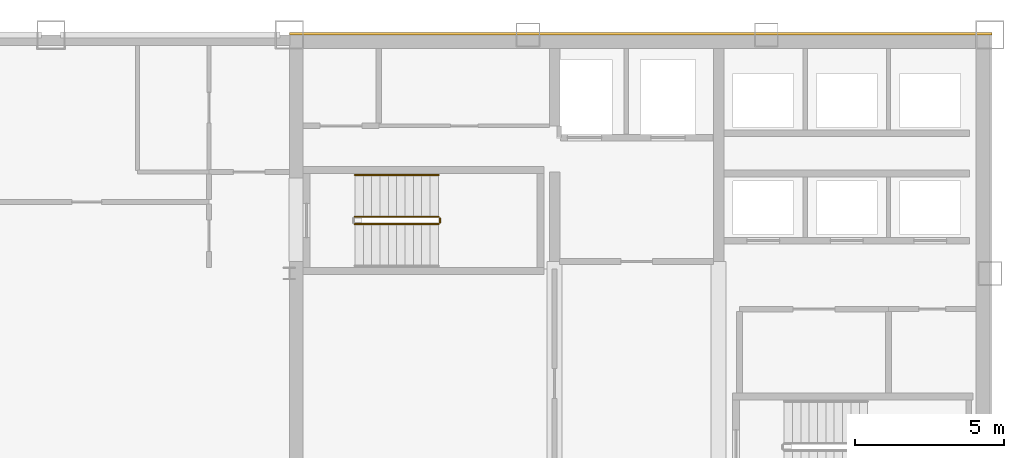
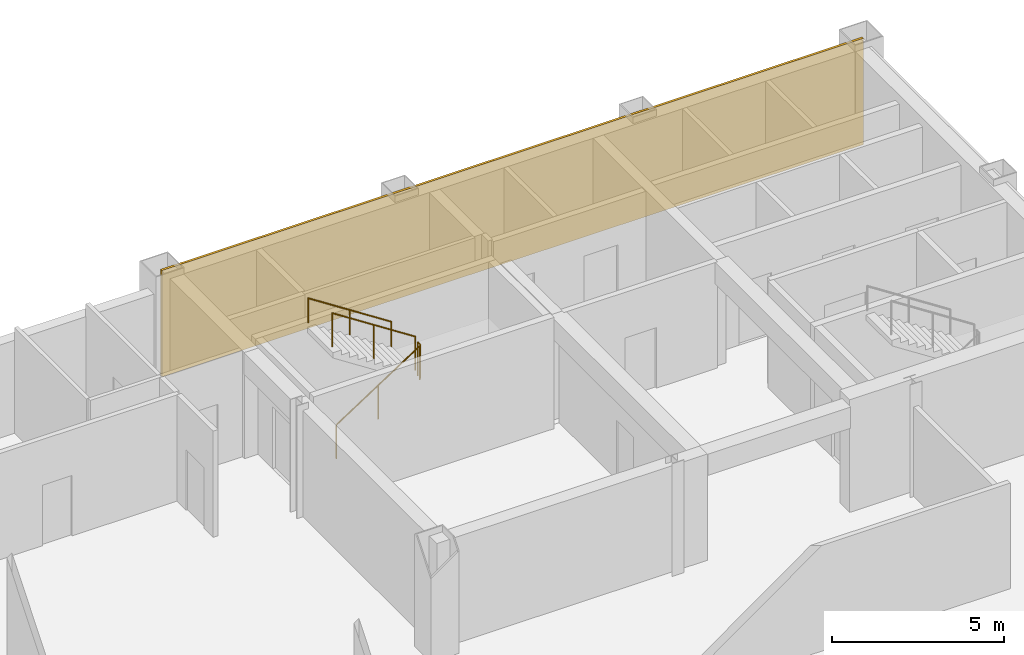
# One storey, part 10 of 10: 4 railings, 1 covering.
"""IFC4 building model written with IfcOpenShell, lengths in metres."""

from ifc_helpers import new_model, si_unit, direction, frame, origin, origin_2d, place, context, subcontext, project, spatial, rectangle, circle, extrude, material, layer, layer_set, type_object, element, save


model = new_model("IFC4")

# Units and contexts
model_context = context("Model", 3, precision=1e-05, world=origin(), true_north=direction((0.0, 1.0)))
body_context = subcontext(model_context, "Body", "Model", "MODEL_VIEW")
ifc_project = project(units=[si_unit("LENGTHUNIT", "METRE"), si_unit("AREAUNIT", "SQUARE_METRE"), si_unit("VOLUMEUNIT", "CUBIC_METRE"), si_unit("PLANEANGLEUNIT", "RADIAN"), si_unit("MASSUNIT", "GRAM", prefix="KILO")], contexts=[model_context])

# Site, building, storey
site_placement = place(None, origin())
site = spatial("IfcSite", under=ifc_project, at=site_placement, CompositionType="ELEMENT")
building_placement = place(site_placement, origin())
building = spatial("IfcBuilding", under=site, at=building_placement, Name="Qianrong Seaharbour Tower", CompositionType="ELEMENT")
storey_placement = place(building_placement, frame((0.0, 0.0, 229.800048828125)))
storey = spatial("IfcBuildingStorey", under=building, at=storey_placement, Name="L55", CompositionType="ELEMENT", Elevation=229.800048828125)

# Covering
ifc_material_1 = material(Name="Unitised red brick cladding on Precast concrete C45/55", Category="masonry")
ifc_layer = layer(ifc_material_1, 0.080078125)
ifc_layer_set = layer_set([ifc_layer], Name="Unitised red brick cladding on Precast concrete C45/55")
covering_type = type_object("IfcCoveringType", Name="COV-CLAD-RED-BRICK-80", PredefinedType="CLADDING", material=ifc_layer_set)
covering_placement = place(storey_placement, frame((52.2900390625, 52.0400390625, 0.0), z_axis=(0.0, 0.0, 1.0), x_axis=(1.0, 0.0, 0.0)))
element("IfcCovering", 1, at=covering_placement, inside=storey, type_object=covering_type, Name="L55 North Core Brick Veneer Cladding", PredefinedType="CLADDING", context=body_context, shape_type="SweptSolid", body=[
    extrude(rectangle(XDim=23.580078125, YDim=0.080078125, at=origin_2d()), origin(), (0.0, 0.0, 1.0), 3.77490234375),
])

# Railings
ifc_material_2 = material(Name="Galvanized painted steel SN400B stair guard", Category="steel")
railing_type_1 = type_object("IfcRailingType", Name="RAIL-STAIR-GUARD-1220", PredefinedType="GUARDRAIL", material=ifc_material_2)
railing_1_placement = place(storey_placement, frame((42.699951171875, 45.64990234375, 0.181884765625)))
element("IfcRailing", 2, at=railing_1_placement, inside=storey, type_object=railing_type_1, Name="L55 ST-1 stair guard 1", PredefinedType="GUARDRAIL", context=body_context, shape_type="SweptSolid", body=[
    extrude(circle(Radius=0.02392578125, at=origin_2d()), frame((0.0, 0.0, 1.19580078125), z_axis=(0.838705829183, 0.0, 0.544584733623), x_axis=(0.0, 1.0, 0.0)), (0.0, 0.0, 1.0), 3.338623046875),
    extrude(circle(Radius=0.02099609375, at=origin_2d()), origin(), (0.0, 0.0, 1.0), 1.171875),
    extrude(circle(Radius=0.02099609375, at=origin_2d()), frame((1.39990234375, 0.0, 0.9091796875)), (0.0, 0.0, 1.0), 1.171875),
    extrude(circle(Radius=0.02099609375, at=origin_2d()), frame((2.800048828125, 0.0, 1.818115234375)), (0.0, 0.0, 1.0), 1.171875),
])
railing_2_placement = place(storey_placement, frame((45.550048828125, 45.699951171875, 2.0)))
element("IfcRailing", 3, at=railing_2_placement, inside=storey, type_object=railing_type_1, Name="L55 ST-1 stair guard 2", PredefinedType="GUARDRAIL", context=body_context, shape_type="SweptSolid", body=[
    extrude(circle(Radius=0.02392578125, at=origin_2d()), frame((0.0, 0.0, 1.19580078125), z_axis=(0.0, 1.0, 0.0), x_axis=(-1.0, 0.0, 0.0)), (0.0, 0.0, 1.0), 0.150146484375),
    extrude(circle(Radius=0.02099609375, at=origin_2d()), origin(), (0.0, 0.0, 1.0), 1.171875),
    extrude(circle(Radius=0.02099609375, at=origin_2d()), frame((0.0, 0.150146484375, 0.0)), (0.0, 0.0, 1.0), 1.171875),
])
railing_3_placement = place(storey_placement, frame((45.5, 45.89990234375, 2.181884765625)))
element("IfcRailing", 4, at=railing_3_placement, inside=storey, type_object=railing_type_1, Name="L55 ST-1 stair guard 3", PredefinedType="GUARDRAIL", context=body_context, shape_type="SweptSolid", body=[
    extrude(circle(Radius=0.02392578125, at=origin_2d()), frame((0.0, 0.0, 1.19580078125), z_axis=(-0.838705829183, 0.0, 0.544584733623), x_axis=(0.0, -1.0, 0.0)), (0.0, 0.0, 1.0), 3.338623046875),
    extrude(circle(Radius=0.02099609375, at=origin_2d()), origin(), (0.0, 0.0, 1.0), 1.171875),
    extrude(circle(Radius=0.02099609375, at=origin_2d()), frame((-1.39990234375, 0.0, 0.9091796875)), (0.0, 0.0, 1.0), 1.171875),
    extrude(circle(Radius=0.02099609375, at=origin_2d()), frame((-2.800048828125, 0.0, 1.818115234375)), (0.0, 0.0, 1.0), 1.171875),
])
ifc_material_3 = material(Name="Stainless steel SUS316L continuous handrail", Category="steel")
railing_type_2 = type_object("IfcRailingType", Name="RAIL-STAIR-HANDRAIL-900", PredefinedType="HANDRAIL", material=ifc_material_3)
railing_4_placement = place(storey_placement, frame((45.5, 47.300048828125, 2.181884765625)))
element("IfcRailing", 5, at=railing_4_placement, inside=storey, type_object=railing_type_2, Name="L55 ST-1 stair handrail 2", PredefinedType="HANDRAIL", context=body_context, shape_type="SweptSolid", body=[
    extrude(circle(Radius=0.02392578125, at=origin_2d()), frame((0.0, 0.0, 0.8759765625), z_axis=(-0.838705829183, 0.0, 0.544584733623), x_axis=(0.0, -1.0, 0.0)), (0.0, 0.0, 1.0), 3.338623046875),
    extrude(circle(Radius=0.02099609375, at=origin_2d()), origin(), (0.0, 0.0, 1.0), 0.851806640625),
    extrude(circle(Radius=0.02099609375, at=origin_2d()), frame((-1.39990234375, 0.0, 0.9091796875)), (0.0, 0.0, 1.0), 0.851806640625),
    extrude(circle(Radius=0.02099609375, at=origin_2d()), frame((-2.800048828125, 0.0, 1.818115234375)), (0.0, 0.0, 1.0), 0.851806640625),
])

save(model, "model.ifc")
